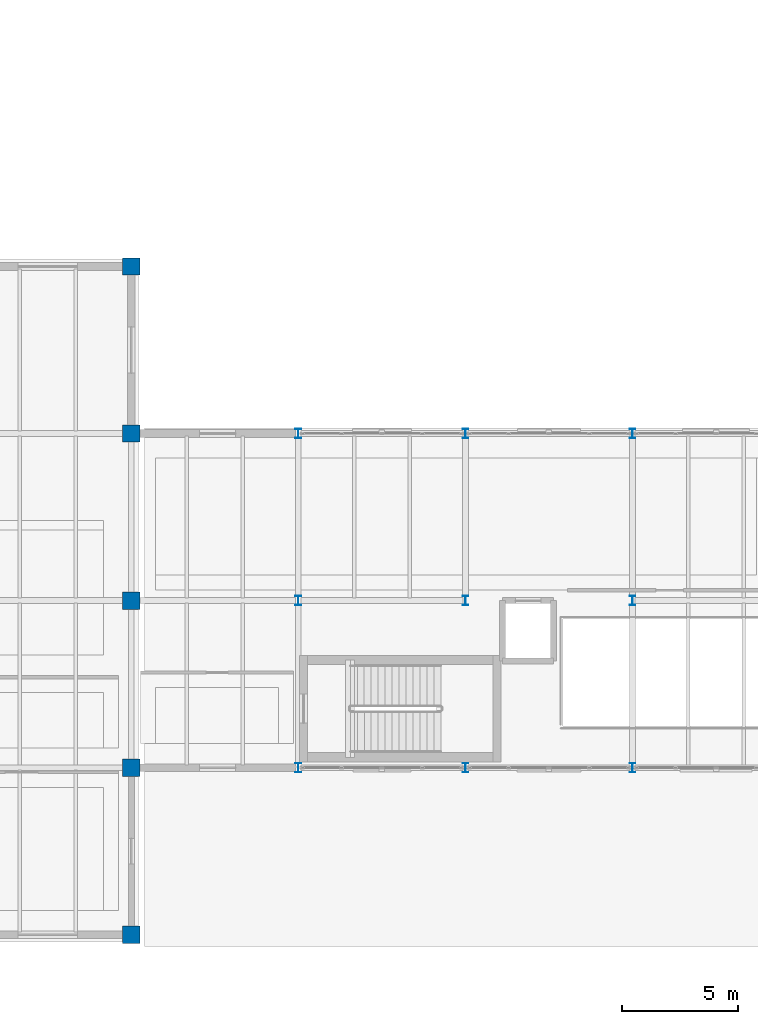
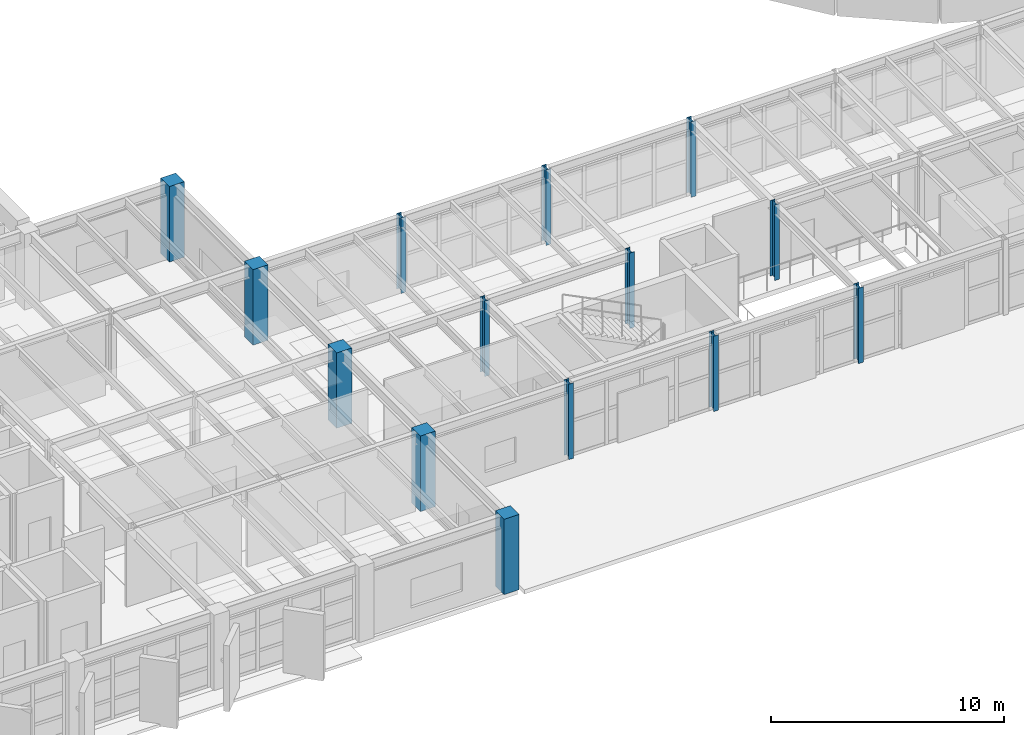
# One storey, part 3 of 37: 14 columns.
"""IFC4 building model written with IfcOpenShell, lengths in metres."""

from ifc_helpers import new_model, si_unit, direction, frame, origin, origin_2d, place, context, subcontext, project, spatial, rectangle, i_section, extrude, material, material_profile, profile_set, type_object, element, save


model = new_model("IFC4")

# Units and contexts
model_context = context("Model", 3, precision=1e-05, world=origin(), true_north=direction((0.0, 1.0)))
body_context = subcontext(model_context, "Body", "Model", "MODEL_VIEW")
ifc_project = project(units=[si_unit("LENGTHUNIT", "METRE"), si_unit("AREAUNIT", "SQUARE_METRE"), si_unit("VOLUMEUNIT", "CUBIC_METRE"), si_unit("PLANEANGLEUNIT", "RADIAN"), si_unit("MASSUNIT", "GRAM", prefix="KILO")], contexts=[model_context])

# Site, building, storey
site_placement = place(None, origin())
site = spatial("IfcSite", under=ifc_project, at=site_placement, CompositionType="ELEMENT")
building_placement = place(site_placement, origin())
building = spatial("IfcBuilding", under=site, at=building_placement, Name="Kandorven Conservatory and Botanical Research Centre", CompositionType="ELEMENT")
storey_placement = place(building_placement, frame((0.0, 0.0, 9.0)))
storey = spatial("IfcBuildingStorey", under=building, at=storey_placement, Name="L02", CompositionType="ELEMENT", Elevation=9.0)

# Columns
ifc_material_1 = material(Name="Steel S355 (IS 2062 E350)", Category="steel")
ifc_material_profile_1 = material_profile(ifc_material_1, i_section(OverallWidth=0.25, OverallDepth=0.39990234375, WebThickness=0.010498046875, FlangeThickness=0.0126953125, at=origin_2d()))
ifc_profile_set_1 = profile_set([ifc_material_profile_1], Name="Steel S355 (IS 2062 E350)")
column_type_1 = type_object("IfcColumnType", Name="Col_SC-02", PredefinedType="COLUMN", material=ifc_profile_set_1)
for number, where, z_axis, x_axis, name in (
    (1, (49.199951171875, 13.199951171875, 0.0), (0.0, 0.0, 1.0), (1.0, 0.0, 0.0), "Column SC-02 VIS L02 (2,1)"),
    (2, (49.199951171875, 20.39990234375, 0.0), (0.0, 0.0, 1.0), (1.0, 0.0, 0.0), "Column SC-02 VIS L02 (2,2)"),
    (3, (49.199951171875, 27.60009765625, 0.0), (0.0, 0.0, 1.0), (1.0, 0.0, 0.0), "Column SC-02 VIS L02 (2,3)"),
    (4, (56.39990234375, 13.199951171875, 0.0), (0.0, 0.0, 1.0), (1.0, 0.0, 0.0), "Column SC-02 VIS L02 (3,1)"),
    (5, (56.39990234375, 20.39990234375, 0.0), (0.0, 0.0, 1.0), (1.0, 0.0, 0.0), "Column SC-02 VIS L02 (3,2)"),
    (6, (56.39990234375, 27.60009765625, 0.0), (0.0, 0.0, 1.0), (1.0, 0.0, 0.0), "Column SC-02 VIS L02 (3,3)"),
    (7, (63.60009765625, 13.199951171875, 0.0), (0.0, 0.0, 1.0), (1.0, 0.0, 0.0), "Column SC-02 VIS L02 (4,1)"),
    (8, (63.60009765625, 20.39990234375, 0.0), (0.0, 0.0, 1.0), (1.0, 0.0, 0.0), "Column SC-02 VIS L02 (4,2)"),
    (9, (63.60009765625, 27.60009765625, 0.0), (0.0, 0.0, 1.0), (1.0, 0.0, 0.0), "Column SC-02 VIS L02 (4,3)"),
):
    element("IfcColumn", number, at=place(storey_placement, frame(where, z_axis=z_axis, x_axis=x_axis)), inside=storey, type_object=column_type_1, Name=name, PredefinedType="COLUMN", context=body_context, shape_type="SweptSolid", body=[
        extrude(i_section(OverallWidth=0.25, OverallDepth=0.39990234375, WebThickness=0.010498046875, FlangeThickness=0.0126953125, at=origin_2d()), origin(), (0.0, 0.0, 1.0), 3.9599609375),
    ])
ifc_material_2 = material(Name="Concrete C40/50 (M50)", Category="concrete")
ifc_material_profile_2 = material_profile(ifc_material_2, rectangle(XDim=0.75, YDim=0.75, at=origin_2d()))
ifc_profile_set_2 = profile_set([ifc_material_profile_2], Name="Concrete C40/50 (M50)")
column_type_2 = type_object("IfcColumnType", Name="Col_TC-03", PredefinedType="COLUMN", material=ifc_profile_set_2)
for number, where, z_axis, x_axis, name in (
    (10, (42.0, 6.0, 0.0), (0.0, 0.0, 1.0), (1.0, 0.0, 0.0), "Column TC-03 TWR L02 (6,1)"),
    (11, (42.0, 13.199951171875, 0.0), (0.0, 0.0, 1.0), (1.0, 0.0, 0.0), "Column TC-03 TWR L02 (6,2)"),
    (12, (42.0, 20.39990234375, 0.0), (0.0, 0.0, 1.0), (1.0, 0.0, 0.0), "Column TC-03 TWR L02 (6,3)"),
    (13, (42.0, 27.60009765625, 0.0), (0.0, 0.0, 1.0), (1.0, 0.0, 0.0), "Column TC-03 TWR L02 (6,4)"),
    (14, (42.0, 34.800048828125, 0.0), (0.0, 0.0, 1.0), (1.0, 0.0, 0.0), "Column TC-03 TWR L02 (6,5)"),
):
    element("IfcColumn", number, at=place(storey_placement, frame(where, z_axis=z_axis, x_axis=x_axis)), inside=storey, type_object=column_type_2, Name=name, PredefinedType="COLUMN", context=body_context, shape_type="SweptSolid", body=[
        extrude(rectangle(XDim=0.75, YDim=0.75, at=origin_2d()), origin(), (0.0, 0.0, 1.0), 3.9599609375),
    ])

save(model, "model.ifc")
